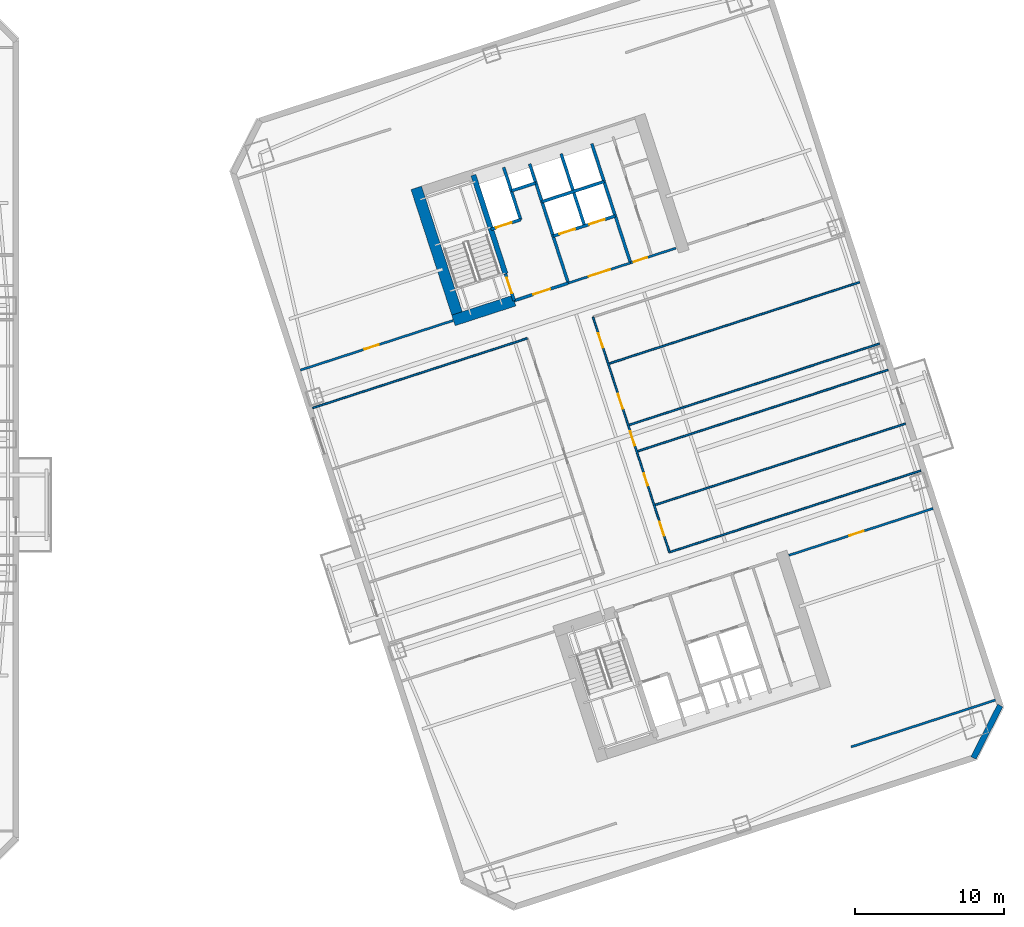
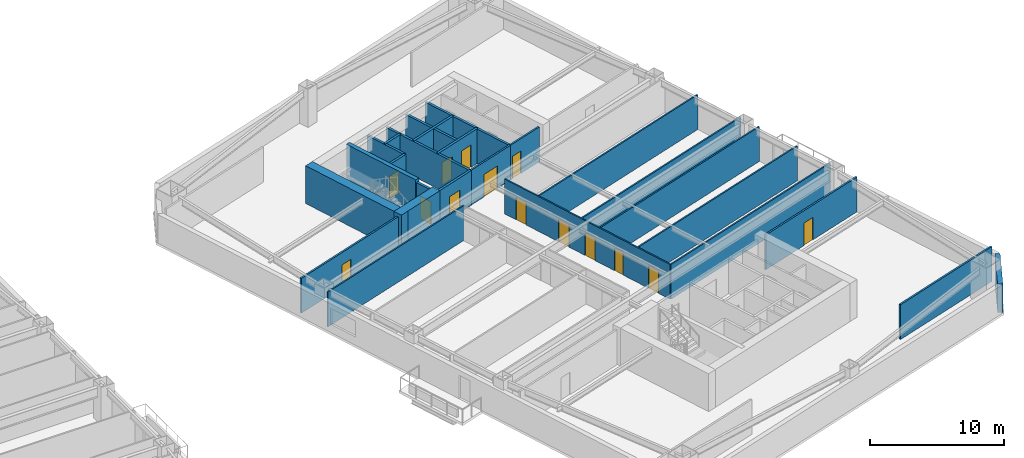
# One storey, part 8 of 15: 26 walls, 14 doors, 14 openings.
"""IFC4 building model written with IfcOpenShell, lengths in metres."""

from ifc_helpers import new_model, si_unit, direction, frame, frame_2d, origin, place, context, subcontext, project, spatial, rectangle, extrude, material, layer, layer_set, type_object, element, fill, save


model = new_model("IFC4")

# Units and contexts
model_context = context("Model", 3, precision=1e-05, world=origin(), true_north=direction((0.0, 1.0)))
body_context = subcontext(model_context, "Body", "Model", "MODEL_VIEW")
ifc_project = project(units=[si_unit("LENGTHUNIT", "METRE"), si_unit("AREAUNIT", "SQUARE_METRE"), si_unit("VOLUMEUNIT", "CUBIC_METRE"), si_unit("PLANEANGLEUNIT", "RADIAN"), si_unit("MASSUNIT", "GRAM", prefix="KILO")], contexts=[model_context])

# Site, building, storey
site_placement = place(None, origin())
site = spatial("IfcSite", under=ifc_project, at=site_placement, CompositionType="ELEMENT")
building_placement = place(site_placement, origin())
building = spatial("IfcBuilding", under=site, at=building_placement, Name="Qiaolan Cultural Towers", CompositionType="ELEMENT")
storey_placement = place(building_placement, frame((0.0, 0.0, 60.949951171875)))
storey = spatial("IfcBuildingStorey", under=building, at=storey_placement, Name="L14", CompositionType="ELEMENT", Elevation=60.949951171875)

# Walls
ifc_material_1 = material(Name="Concrete C50", Category="concrete")
ifc_layer_1 = layer(ifc_material_1, 0.35009765625)
ifc_layer_set_1 = layer_set([ifc_layer_1], Name="Concrete C50")
wall_type_1 = type_object("IfcWallType", Name="WL-CORE-350", PredefinedType="SHEAR", material=ifc_layer_set_1)
wall_1_placement = place(storey_placement, frame((82.513671875, 45.13134765625, 0.0), z_axis=(0.0, 0.0, 1.0), x_axis=(-0.308988790936, 0.951065679686, 0.0)))
element("IfcWall", 1, at=wall_1_placement, inside=storey, type_object=wall_type_1, Name="L14 T2-CN Stair Core Dividing Web", PredefinedType="SHEAR", context=body_context, shape_type="SweptSolid", body=[
    extrude(rectangle(XDim=6.97998046875, YDim=0.35009765625, at=frame_2d((3.489990234375, 0.0))), origin(), (0.0, 0.0, 1.0), 3.449951171875),
])
ifc_material_2 = material(Name="Concrete C60", Category="concrete")
ifc_layer_2 = layer(ifc_material_2, 0.75)
ifc_layer_set_2 = layer_set([ifc_layer_2], Name="Concrete C60")
wall_type_2 = type_object("IfcWallType", Name="WL-CORE-750", PredefinedType="SHEAR", material=ifc_layer_set_2)
wall_2_placement = place(storey_placement, frame((79.48876953125, 41.75634765625, 0.0), z_axis=(0.0, 0.0, 1.0), x_axis=(-0.309016134813, 0.951056795583, 0.0)))
element("IfcWall", 2, at=wall_2_placement, inside=storey, type_object=wall_type_2, Name="L14 T2-CN West Core Shear Wall", PredefinedType="SHEAR", context=body_context, shape_type="SweptSolid", body=[
    extrude(rectangle(XDim=9.630126953125, YDim=0.75, at=frame_2d((4.81494140625, 0.0))), origin(), (0.0, 0.0, 1.0), 3.449951171875),
])
wall_3_placement = place(storey_placement, frame((79.01611328125, 41.997314453125, 0.0), z_axis=(0.0, 0.0, 1.0), x_axis=(0.95106038264, 0.309005094736, 0.0)))
element("IfcWall", 3, at=wall_3_placement, inside=storey, type_object=wall_type_2, Name="L14 T2-CN Stair Front Shear Wall", PredefinedType="SHEAR", context=body_context, shape_type="SweptSolid", body=[
    extrude(rectangle(XDim=4.294921875, YDim=0.75, at=frame_2d((2.1474609375, 0.0))), origin(), (0.0, 0.0, 1.0), 3.449951171875),
])
ifc_material_3 = material(Name="Precast Concrete C50 Honed Stone Pier", Category="masonry")
ifc_layer_3 = layer(ifc_material_3, 0.39990234375)
ifc_layer_set_3 = layer_set([ifc_layer_3], Name="Precast Concrete C50 Honed Stone Pier")
wall_type_3 = type_object("IfcWallType", Name="WL-EXT-PIER-400", PredefinedType="SOLIDWALL", material=ifc_layer_set_3)
wall_4_placement = place(storey_placement, frame((115.79541015625, 16.094970703125, 0.0), z_axis=(0.0, 0.0, 1.0), x_axis=(-0.453958106755, -0.891023028497, 0.0)))
element("IfcWall", 4, at=wall_4_placement, inside=storey, type_object=wall_type_3, Name="L14 East Tower Precast Pier Facade Wall F6", PredefinedType="SOLIDWALL", context=body_context, shape_type="SweptSolid", body=[
    extrude(rectangle(XDim=3.9599609375, YDim=0.39990234375, at=frame_2d((1.97998046875, 0.0))), origin(), (0.0, 0.0, 1.0), 2.610107421875),
])

# Wall, opening, door
ifc_material_4 = material(Name="Concrete C35 Fire Wall", Category="concrete")
ifc_layer_4 = layer(ifc_material_4, 0.199951171875)
ifc_layer_set_4 = layer_set([ifc_layer_4], Name="Concrete C35 Fire Wall")
wall_type_4 = type_object("IfcWallType", Name="WL-FIRE-200", PredefinedType="PARTITIONING", material=ifc_layer_set_4)
wall_5_placement = place(storey_placement, frame((83.100830078125, 43.324462890625, 0.0), z_axis=(0.0, 0.0, 1.0), x_axis=(-0.309048298632, 0.951046344356, 0.0)))
wall_5 = element("IfcWall", 5, at=wall_5_placement, inside=storey, type_object=wall_type_4, Name="L14 T2-CN Smokeproof Stair Entry Wall", PredefinedType="PARTITIONING", context=body_context, shape_type="SweptSolid", body=[
    extrude(rectangle(XDim=1.89990234375, YDim=0.199951171875, at=frame_2d((0.949951171875, 0.0))), origin(), (0.0, 0.0, 1.0), 3.175048828125),
])
opening_1_placement = place(wall_5_placement, frame((0.52001953125, 0.0, 0.0)))
opening_1 = element("IfcOpeningElement", 6, at=opening_1_placement, cuts=wall_5, Name="Opening FD-04", PredefinedType="OPENING", context=body_context, shape_type="SweptSolid", body=[
    extrude(rectangle(XDim=1.10009765625, YDim=2.050048828125, at=frame_2d((0.550048828125, 1.02490234375))), frame((0.0, 0.10986328125, 0.0), z_axis=(0.0, -1.0, 0.0), x_axis=(1.0, 0.0, 0.0)), (0.0, 0.0, 1.0), 0.219970703125),
])
ifc_material_5 = material(Name="Galvanized Steel Command Fire Door", Category="steel")
door_type_1 = type_object("IfcDoorType", Name="DR-FD90-1100", OperationType="NOTDEFINED", PredefinedType="DOOR", material=ifc_material_5)
door_1_placement = place(opening_1_placement, origin())
door_1 = element("IfcDoor", 7, at=door_1_placement, inside=storey, type_object=door_type_1, Name="L14 ST-E2 Smokeproof Stair Fire Door", OperationType="SINGLE_SWING_LEFT", OverallHeight=2.050048828125, OverallWidth=1.10009765625, PredefinedType="DOOR", context=body_context, shape_type="SweptSolid", body=[
    extrude(rectangle(XDim=1.10009765625, YDim=2.050048828125, at=frame_2d((0.550048828125, 1.02490234375))), frame((0.0, 0.02490234375, 0.0), z_axis=(0.0, -1.0, 0.0), x_axis=(1.0, 0.0, 0.0)), (0.0, 0.0, 1.0), 0.050048828125),
])
fill(opening_1, door_1)

# Wall
wall_6_placement = place(storey_placement, frame((86.743408203125, 44.508056640625, 0.0), z_axis=(0.0, 0.0, 1.0), x_axis=(-0.309016001439, 0.951056838919, 0.0)))
element("IfcWall", 8, at=wall_6_placement, inside=storey, type_object=wall_type_4, Name="L14 T2-CN Firefighting Zone Wall", PredefinedType="PARTITIONING", context=body_context, shape_type="SweptSolid", body=[
    extrude(rectangle(XDim=8.429931640625, YDim=0.199951171875, at=frame_2d((4.21484375, 0.0))), origin(), (0.0, 0.0, 1.0), 3.175048828125),
])

# Wall, opening, door
wall_7_placement = place(storey_placement, frame((83.100830078125, 43.324462890625, 0.0), z_axis=(0.0, 0.0, 1.0), x_axis=(0.951052804469, 0.309028417967, 0.0)))
wall_7 = element("IfcWall", 9, at=wall_7_placement, inside=storey, type_object=wall_type_4, Name="L14 T2-CN Firefighting Lobby Front Wall", PredefinedType="PARTITIONING", context=body_context, shape_type="SweptSolid", body=[
    extrude(rectangle(XDim=3.830078125, YDim=0.199951171875, at=frame_2d((1.9150390625, 0.0))), origin(), (0.0, 0.0, 1.0), 3.175048828125),
])
opening_2_placement = place(wall_7_placement, frame((1.35009765625, 0.0, 0.0)))
opening_2 = element("IfcOpeningElement", 10, at=opening_2_placement, cuts=wall_7, Name="Opening FD-03", PredefinedType="OPENING", context=body_context, shape_type="SweptSolid", body=[
    extrude(rectangle(XDim=1.199951171875, YDim=2.050048828125, at=frame_2d((0.60009765625, 1.02490234375))), frame((0.0, 0.10986328125, 0.0), z_axis=(0.0, -1.0, 0.0), x_axis=(1.0, 0.0, 0.0)), (0.0, 0.0, 1.0), 0.219970703125),
])
ifc_material_6 = material(Name="Galvanized Steel Smokeproof Lobby Fire Door", Category="steel")
door_type_2 = type_object("IfcDoorType", Name="DR-FD90-1200", OperationType="NOTDEFINED", PredefinedType="DOOR", material=ifc_material_6)
door_2_placement = place(opening_2_placement, origin())
door_2 = element("IfcDoor", 11, at=door_2_placement, inside=storey, type_object=door_type_2, Name="L14 FFL-E2 Firefighting Lobby Fire Door", OperationType="SINGLE_SWING_LEFT", OverallHeight=2.050048828125, OverallWidth=1.199951171875, PredefinedType="DOOR", context=body_context, shape_type="SweptSolid", body=[
    extrude(rectangle(XDim=1.199951171875, YDim=2.050048828125, at=frame_2d((0.60009765625, 1.02490234375))), frame((0.0, 0.02490234375, 0.0), z_axis=(0.0, -1.0, 0.0), x_axis=(1.0, 0.0, 0.0)), (0.0, 0.0, 1.0), 0.050048828125),
])
fill(opening_2, door_2)

wall_8_placement = place(storey_placement, frame((81.540283203125, 48.127197265625, 0.0), z_axis=(0.0, 0.0, 1.0), x_axis=(0.951062257173, 0.308999325213, 0.0)))
wall_8 = element("IfcWall", 12, at=wall_8_placement, inside=storey, type_object=wall_type_4, Name="L14 T2-CN Firefighting Shaft Front Wall", PredefinedType="PARTITIONING", context=body_context, shape_type="SweptSolid", body=[
    extrude(rectangle(XDim=2.10009765625, YDim=0.199951171875, at=frame_2d((1.050048828125, 0.0))), origin(), (0.0, 0.0, 1.0), 3.175048828125),
])
opening_3_placement = place(wall_8_placement, frame((0.35009765625, 0.0, 0.0)))
opening_3 = element("IfcOpeningElement", 13, at=opening_3_placement, cuts=wall_8, Name="Opening LD-01", PredefinedType="OPENING", context=body_context, shape_type="SweptSolid", body=[
    extrude(rectangle(XDim=1.10009765625, YDim=2.050048828125, at=frame_2d((0.550048828125, 1.02490234375))), frame((0.0, 0.10986328125, 0.0), z_axis=(0.0, -1.0, 0.0), x_axis=(1.0, 0.0, 0.0)), (0.0, 0.0, 1.0), 0.219970703125),
])
ifc_material_7 = material(Name="Brushed Stainless Steel S30408 Centre-Parting Lift Landing Door", Category="steel")
door_type_3 = type_object("IfcDoorType", Name="DR-LIFT-1100", OperationType="NOTDEFINED", PredefinedType="DOOR", material=ifc_material_7)
door_3_placement = place(opening_3_placement, origin())
door_3 = element("IfcDoor", 14, at=door_3_placement, inside=storey, type_object=door_type_3, Name="L14 FFL-E2 Firefighting Lift Landing Door", OperationType="DOUBLE_DOOR_SLIDING", OverallHeight=2.050048828125, OverallWidth=1.10009765625, PredefinedType="DOOR", context=body_context, shape_type="SweptSolid", body=[
    extrude(rectangle(XDim=1.10009765625, YDim=2.050048828125, at=frame_2d((0.550048828125, 1.02490234375))), frame((0.0, 0.02490234375, 0.0), z_axis=(0.0, -1.0, 0.0), x_axis=(1.0, 0.0, 0.0)), (0.0, 0.0, 1.0), 0.050048828125),
])
fill(opening_3, door_3)

# Walls
wall_9_placement = place(storey_placement, frame((83.53759765625, 48.776123046875, 0.0), z_axis=(0.0, 0.0, 1.0), x_axis=(-0.3089935693, 0.951064127245, 0.0)))
element("IfcWall", 15, at=wall_9_placement, inside=storey, type_object=wall_type_4, Name="L14 T2-CN Firefighting Hoistway East Wall", PredefinedType="PARTITIONING", context=body_context, shape_type="SweptSolid", body=[
    extrude(rectangle(XDim=3.7001953125, YDim=0.199951171875, at=frame_2d((1.85009765625, 0.0))), origin(), (0.0, 0.0, 1.0), 3.175048828125),
])
wall_10_placement = place(storey_placement, frame((82.910400390625, 50.706787109375, 0.0), z_axis=(0.0, 0.0, 1.0), x_axis=(0.951041328149, 0.309063734775, 0.0)))
element("IfcWall", 16, at=wall_10_placement, inside=storey, type_object=wall_type_4, Name="L14 T2-CN Pressurization Shaft Front Wall", PredefinedType="PARTITIONING", context=body_context, shape_type="SweptSolid", body=[
    extrude(rectangle(XDim=1.72998046875, YDim=0.199951171875, at=frame_2d((0.864990234375, 0.0))), origin(), (0.0, 0.0, 1.0), 3.175048828125),
])
wall_11_placement = place(storey_placement, frame((90.92822265625, 45.86767578125, 0.0), z_axis=(0.0, 0.0, 1.0), x_axis=(-0.309042196757, 0.951048327176, 0.0)))
element("IfcWall", 17, at=wall_11_placement, inside=storey, type_object=wall_type_4, Name="L14 T2-CN Lift Core East Wall", PredefinedType="PARTITIONING", context=body_context, shape_type="SweptSolid", body=[
    extrude(rectangle(XDim=8.429931640625, YDim=0.199951171875, at=frame_2d((4.21484375, 0.0))), origin(), (0.0, 0.0, 1.0), 3.175048828125),
])

# Wall, openings, doors
wall_12_placement = place(storey_placement, frame((85.717529296875, 47.66552734375, 0.0), z_axis=(0.0, 0.0, 1.0), x_axis=(0.951058531764, 0.30901079133, 0.0)))
wall_12 = element("IfcWall", 18, at=wall_12_placement, inside=storey, type_object=wall_type_4, Name="L14 T2-CN Passenger Lift Shaft Front Wall", PredefinedType="PARTITIONING", context=body_context, shape_type="SweptSolid", body=[
    extrude(rectangle(XDim=4.39990234375, YDim=0.199951171875, at=frame_2d((2.199951171875, 0.0))), origin(), (0.0, 0.0, 1.0), 3.175048828125),
])
opening_4_placement = place(wall_12_placement, frame((0.449951171875, 0.0, 0.0)))
opening_4 = element("IfcOpeningElement", 19, at=opening_4_placement, cuts=wall_12, Name="Opening LD-01", PredefinedType="OPENING", context=body_context, shape_type="SweptSolid", body=[
    extrude(rectangle(XDim=1.10009765625, YDim=2.050048828125, at=frame_2d((0.550048828125, 1.02490234375))), frame((0.0, 0.10986328125, 0.0), z_axis=(0.0, -1.0, 0.0), x_axis=(1.0, 0.0, 0.0)), (0.0, 0.0, 1.0), 0.219970703125),
])
opening_5_placement = place(wall_12_placement, frame((2.550048828125, 0.0, 0.0)))
opening_5 = element("IfcOpeningElement", 20, at=opening_5_placement, cuts=wall_12, Name="Opening LD-01", PredefinedType="OPENING", context=body_context, shape_type="SweptSolid", body=[
    extrude(rectangle(XDim=1.10009765625, YDim=2.050048828125, at=frame_2d((0.550048828125, 1.02490234375))), frame((0.0, 0.10986328125, 0.0), z_axis=(0.0, -1.0, 0.0), x_axis=(1.0, 0.0, 0.0)), (0.0, 0.0, 1.0), 0.219970703125),
])
door_4_placement = place(opening_4_placement, origin())
door_4 = element("IfcDoor", 21, at=door_4_placement, inside=storey, type_object=door_type_3, Name="L14 Passenger Lift 1 Landing Door", OperationType="DOUBLE_DOOR_SLIDING", OverallHeight=2.050048828125, OverallWidth=1.10009765625, PredefinedType="DOOR", context=body_context, shape_type="SweptSolid", body=[
    extrude(rectangle(XDim=1.10009765625, YDim=2.050048828125, at=frame_2d((0.550048828125, 1.02490234375))), frame((0.0, 0.02490234375, 0.0), z_axis=(0.0, -1.0, 0.0), x_axis=(1.0, 0.0, 0.0)), (0.0, 0.0, 1.0), 0.050048828125),
])
fill(opening_4, door_4)
door_5_placement = place(opening_5_placement, origin())
door_5 = element("IfcDoor", 22, at=door_5_placement, inside=storey, type_object=door_type_3, Name="L14 Passenger Lift 2 Landing Door", OperationType="DOUBLE_DOOR_SLIDING", OverallHeight=2.050048828125, OverallWidth=1.10009765625, PredefinedType="DOOR", context=body_context, shape_type="SweptSolid", body=[
    extrude(rectangle(XDim=1.10009765625, YDim=2.050048828125, at=frame_2d((0.550048828125, 1.02490234375))), frame((0.0, 0.02490234375, 0.0), z_axis=(0.0, -1.0, 0.0), x_axis=(1.0, 0.0, 0.0)), (0.0, 0.0, 1.0), 0.050048828125),
])
fill(opening_5, door_5)

# Walls
wall_13_placement = place(storey_placement, frame((87.83837890625, 48.3544921875, 0.0), z_axis=(0.0, 0.0, 1.0), x_axis=(-0.3090093719, 0.951058992953, 0.0)))
element("IfcWall", 23, at=wall_13_placement, inside=storey, type_object=wall_type_4, Name="L14 T2-CN Lift Shaft Divider Wall", PredefinedType="PARTITIONING", context=body_context, shape_type="SweptSolid", body=[
    extrude(rectangle(XDim=5.110107421875, YDim=0.199951171875, at=frame_2d((2.55517578125, 0.0))), origin(), (0.0, 0.0, 1.0), 3.175048828125),
])
wall_14_placement = place(storey_placement, frame((84.966552734375, 49.9765625, 0.0), z_axis=(0.0, 0.0, 1.0), x_axis=(0.951063829732, 0.308994485023, 0.0)))
element("IfcWall", 24, at=wall_14_placement, inside=storey, type_object=wall_type_4, Name="L14 T2-CN Passenger Lift Shaft Back Wall", PredefinedType="PARTITIONING", context=body_context, shape_type="SweptSolid", body=[
    extrude(rectangle(XDim=4.400146484375, YDim=0.199951171875, at=frame_2d((2.2001953125, 0.0))), origin(), (0.0, 0.0, 1.0), 3.175048828125),
])
ifc_material_8 = material(Name="Gypsum Stud Acoustic Partition", Category="gypsum")
ifc_layer_5 = layer(ifc_material_8, 0.1201171875)
ifc_layer_set_5 = layer_set([ifc_layer_5], Name="Gypsum Stud Acoustic Partition")
wall_type_5 = type_object("IfcWallType", Name="WL-PART-120", PredefinedType="PARTITIONING", material=ifc_layer_set_5)
wall_15_placement = place(storey_placement, frame((93.5458984375, 26.404052734375, 0.0), z_axis=(0.0, 0.0, 1.0), x_axis=(0.951058189574, 0.309011844505, 0.0)))
element("IfcWall", 25, at=wall_15_placement, inside=storey, type_object=wall_type_5, Name="L14 T2 South Corridor Right Wall", PredefinedType="PARTITIONING", context=body_context, shape_type="SweptSolid", body=[
    extrude(rectangle(XDim=17.77490234375, YDim=0.1201171875, at=frame_2d((8.887451171875, 0.0))), origin(), (0.0, 0.0, 1.0), 3.175048828125),
])
wall_16_placement = place(storey_placement, frame((69.549072265625, 36.103271484375, 0.0), z_axis=(0.0, 0.0, 1.0), x_axis=(0.951054756643, 0.309022409974, 0.0)))
element("IfcWall", 26, at=wall_16_placement, inside=storey, type_object=wall_type_5, Name="L14 T2 North Corridor Left Wall", PredefinedType="PARTITIONING", context=body_context, shape_type="SweptSolid", body=[
    extrude(rectangle(XDim=15.175048828125, YDim=0.1201171875, at=frame_2d((7.58740234375, 0.0))), origin(), (0.0, 0.0, 1.0), 3.175048828125),
])

# Wall, openings, doors
wall_17_placement = place(storey_placement, frame((93.5458984375, 26.404052734375, 0.0), z_axis=(0.0, 0.0, 1.0), x_axis=(-0.309022042254, 0.951054876125, 0.0)))
wall_17 = element("IfcWall", 27, at=wall_17_placement, inside=storey, type_object=wall_type_5, Name="L14 T2 East Spine Wall", PredefinedType="PARTITIONING", context=body_context, shape_type="SweptSolid", body=[
    extrude(rectangle(XDim=16.639892578125, YDim=0.1201171875, at=frame_2d((8.31982421875, 0.0))), origin(), (0.0, 0.0, 1.0), 3.175048828125),
])
opening_6_placement = place(wall_17_placement, frame((1.159912109375, 0.0, 0.0)))
opening_6 = element("IfcOpeningElement", 28, at=opening_6_placement, cuts=wall_17, Name="Opening ID-04", PredefinedType="OPENING", context=body_context, shape_type="SweptSolid", body=[
    extrude(rectangle(XDim=1.0, YDim=2.050048828125, at=frame_2d((0.5, 1.02490234375))), frame((0.0, 0.070068359375, 0.0), z_axis=(0.0, -1.0, 0.0), x_axis=(1.0, 0.0, 0.0)), (0.0, 0.0, 1.0), 0.14013671875),
])
opening_7_placement = place(wall_17_placement, frame((4.719970703125, 0.0, 0.0)))
opening_7 = element("IfcOpeningElement", 29, at=opening_7_placement, cuts=wall_17, Name="Opening ID-09", PredefinedType="OPENING", context=body_context, shape_type="SweptSolid", body=[
    extrude(rectangle(XDim=0.85009765625, YDim=2.050048828125, at=frame_2d((0.425048828125, 1.02490234375))), frame((0.0, 0.070068359375, 0.0), z_axis=(0.0, -1.0, 0.0), x_axis=(1.0, 0.0, 0.0)), (0.0, 0.0, 1.0), 0.14013671875),
])
opening_8_placement = place(wall_17_placement, frame((7.548583984375, 0.0, 0.0)))
opening_8 = element("IfcOpeningElement", 30, at=opening_8_placement, cuts=wall_17, Name="Opening ID-04", PredefinedType="OPENING", context=body_context, shape_type="SweptSolid", body=[
    extrude(rectangle(XDim=1.0, YDim=2.050048828125, at=frame_2d((0.5, 1.02490234375))), frame((0.0, 0.070068359375, 0.0), z_axis=(0.0, -1.0, 0.0), x_axis=(1.0, 0.0, 0.0)), (0.0, 0.0, 1.0), 0.14013671875),
])
opening_9_placement = place(wall_17_placement, frame((10.1484375, 0.0, 0.0)))
opening_9 = element("IfcOpeningElement", 31, at=opening_9_placement, cuts=wall_17, Name="Opening ID-07", PredefinedType="OPENING", context=body_context, shape_type="SweptSolid", body=[
    extrude(rectangle(XDim=1.050048828125, YDim=2.050048828125, at=frame_2d((0.52490234375, 1.02490234375))), frame((0.0, 0.070068359375, 0.0), z_axis=(0.0, -1.0, 0.0), x_axis=(1.0, 0.0, 0.0)), (0.0, 0.0, 1.0), 0.14013671875),
])
opening_10_placement = place(wall_17_placement, frame((14.47998046875, 0.0, 0.0)))
opening_10 = element("IfcOpeningElement", 32, at=opening_10_placement, cuts=wall_17, Name="Opening ID-04", PredefinedType="OPENING", context=body_context, shape_type="SweptSolid", body=[
    extrude(rectangle(XDim=1.0, YDim=2.050048828125, at=frame_2d((0.5, 1.02490234375))), frame((0.0, 0.070068359375, 0.0), z_axis=(0.0, -1.0, 0.0), x_axis=(1.0, 0.0, 0.0)), (0.0, 0.0, 1.0), 0.14013671875),
])
ifc_material_9 = material(Name="Oak Veneer Acoustic Office Door", Category="timber")
door_type_4 = type_object("IfcDoorType", Name="DR-INT-1000", OperationType="NOTDEFINED", PredefinedType="DOOR", material=ifc_material_9)
door_6_placement = place(opening_6_placement, origin())
door_6 = element("IfcDoor", 33, at=door_6_placement, inside=storey, type_object=door_type_4, Name="L14 T2 Architecture Studio Door", OperationType="SINGLE_SWING_RIGHT", OverallHeight=2.050048828125, OverallWidth=1.0, PredefinedType="DOOR", context=body_context, shape_type="SweptSolid", body=[
    extrude(rectangle(XDim=1.0, YDim=2.050048828125, at=frame_2d((0.5, 1.02490234375))), frame((0.0, 0.02490234375, 0.0), z_axis=(0.0, -1.0, 0.0), x_axis=(1.0, 0.0, 0.0)), (0.0, 0.0, 1.0), 0.050048828125),
])
fill(opening_6, door_6)
door_7_placement = place(opening_8_placement, origin())
door_7 = element("IfcDoor", 34, at=door_7_placement, inside=storey, type_object=door_type_4, Name="L14 T2 Architecture Studio Door", OperationType="SINGLE_SWING_RIGHT", OverallHeight=2.050048828125, OverallWidth=1.0, PredefinedType="DOOR", context=body_context, shape_type="SweptSolid", body=[
    extrude(rectangle(XDim=1.0, YDim=2.050048828125, at=frame_2d((0.5, 1.02490234375))), frame((0.0, 0.02490234375, 0.0), z_axis=(0.0, -1.0, 0.0), x_axis=(1.0, 0.0, 0.0)), (0.0, 0.0, 1.0), 0.050048828125),
])
fill(opening_8, door_7)
door_8_placement = place(opening_10_placement, origin())
door_8 = element("IfcDoor", 35, at=door_8_placement, inside=storey, type_object=door_type_4, Name="L14 T2 Espresso Pantry Door", OperationType="SINGLE_SWING_LEFT", OverallHeight=2.050048828125, OverallWidth=1.0, PredefinedType="DOOR", context=body_context, shape_type="SweptSolid", body=[
    extrude(rectangle(XDim=1.0, YDim=2.050048828125, at=frame_2d((0.5, 1.02490234375))), frame((0.0, 0.02490234375, 0.0), z_axis=(0.0, -1.0, 0.0), x_axis=(1.0, 0.0, 0.0)), (0.0, 0.0, 1.0), 0.050048828125),
])
fill(opening_10, door_8)
ifc_material_10 = material(Name="Oak Veneer Consultation Door", Category="timber")
door_type_5 = type_object("IfcDoorType", Name="DR-INT-1050", OperationType="NOTDEFINED", PredefinedType="DOOR", material=ifc_material_10)
door_9_placement = place(opening_9_placement, origin())
door_9 = element("IfcDoor", 36, at=door_9_placement, inside=storey, type_object=door_type_5, Name="L14 T2 Architecture Studio Door", OperationType="SINGLE_SWING_LEFT", OverallHeight=2.050048828125, OverallWidth=1.050048828125, PredefinedType="DOOR", context=body_context, shape_type="SweptSolid", body=[
    extrude(rectangle(XDim=1.050048828125, YDim=2.050048828125, at=frame_2d((0.52490234375, 1.02490234375))), frame((0.0, 0.02490234375, 0.0), z_axis=(0.0, -1.0, 0.0), x_axis=(1.0, 0.0, 0.0)), (0.0, 0.0, 1.0), 0.050048828125),
])
fill(opening_9, door_9)
ifc_material_11 = material(Name="Moisture-Resistant Laminate Utility Door", Category="timber")
door_type_6 = type_object("IfcDoorType", Name="DR-INT-850", OperationType="NOTDEFINED", PredefinedType="DOOR", material=ifc_material_11)
door_10_placement = place(opening_7_placement, origin())
door_10 = element("IfcDoor", 37, at=door_10_placement, inside=storey, type_object=door_type_6, Name="L14 T2 Architecture Studio Door", OperationType="SINGLE_SWING_LEFT", OverallHeight=2.050048828125, OverallWidth=0.85009765625, PredefinedType="DOOR", context=body_context, shape_type="SweptSolid", body=[
    extrude(rectangle(XDim=0.85009765625, YDim=2.050048828125, at=frame_2d((0.425048828125, 1.02490234375))), frame((0.0, 0.02490234375, 0.0), z_axis=(0.0, -1.0, 0.0), x_axis=(1.0, 0.0, 0.0)), (0.0, 0.0, 1.0), 0.050048828125),
])
fill(opening_7, door_10)

# Walls
for number, where, z_axis, x_axis, name in (
    (38, (92.52001953125, 29.5615234375, 0.0), (0.0, 0.0, 1.0), (0.951058189574, 0.309011844505, 0.0), "L14 T2 East Partition 1"),
    (39, (91.345703125, 33.175537109375, 0.0), (0.0, 0.0, 1.0), (0.951058189574, 0.309011844505, 0.0), "L14 T2 East Partition 2"),
    (40, (90.771728515625, 34.941650390625, 0.0), (0.0, 0.0, 1.0), (0.951058189574, 0.309011844505, 0.0), "L14 T2 East Partition 3"),
    (41, (89.4296875, 39.072021484375, 0.0), (0.0, 0.0, 1.0), (0.951058189574, 0.309011844505, 0.0), "L14 T2 East Partition 5"),
):
    element("IfcWall", number, at=place(storey_placement, frame(where, z_axis=z_axis, x_axis=x_axis)), inside=storey, type_object=wall_type_5, Name=name, PredefinedType="PARTITIONING", context=body_context, shape_type="SweptSolid", body=[
        extrude(rectangle(XDim=17.77490234375, YDim=0.1201171875, at=frame_2d((8.887451171875, 0.0))), origin(), (0.0, 0.0, 1.0), 3.175048828125),
    ])

# Wall, opening, door
ifc_material_12 = material(Name="Autoclaved Aerated Concrete Block B06", Category="concrete")
ifc_layer_6 = layer(ifc_material_12, 0.14990234375)
ifc_layer_set_6 = layer_set([ifc_layer_6], Name="Autoclaved Aerated Concrete Block B06")
wall_type_6 = type_object("IfcWallType", Name="WL-PART-150", PredefinedType="PARTITIONING", material=ifc_layer_set_6)
wall_18_placement = place(storey_placement, frame((86.743408203125, 44.508056640625, 0.0), z_axis=(0.0, 0.0, 1.0), x_axis=(0.951063829732, 0.308994485023, 0.0)))
wall_18 = element("IfcWall", 42, at=wall_18_placement, inside=storey, type_object=wall_type_6, Name="L14 T2-CN Passenger Lift Lobby Front Wall", PredefinedType="PARTITIONING", context=body_context, shape_type="SweptSolid", body=[
    extrude(rectangle(XDim=4.400146484375, YDim=0.14990234375, at=frame_2d((2.2001953125, 0.0))), origin(), (0.0, 0.0, 1.0), 3.175048828125),
])
opening_11_placement = place(wall_18_placement, frame((1.449951171875, 0.0, 0.0)))
opening_11 = element("IfcOpeningElement", 43, at=opening_11_placement, cuts=wall_18, Name="Opening FD-05", PredefinedType="OPENING", context=body_context, shape_type="SweptSolid", body=[
    extrude(rectangle(XDim=1.5, YDim=2.050048828125, at=frame_2d((0.75, 1.02490234375))), frame((0.0, 0.0849609375, 0.0), z_axis=(0.0, -1.0, 0.0), x_axis=(1.0, 0.0, 0.0)), (0.0, 0.0, 1.0), 0.169921875),
])
ifc_material_13 = material(Name="Painted Steel Lift Lobby Fire Door", Category="steel")
door_type_7 = type_object("IfcDoorType", Name="DR-FD60-1500", OperationType="NOTDEFINED", PredefinedType="DOOR", material=ifc_material_13)
door_11_placement = place(opening_11_placement, origin())
door_11 = element("IfcDoor", 44, at=door_11_placement, inside=storey, type_object=door_type_7, Name="L14 Passenger Lift Lobby Entrance", OperationType="SINGLE_SWING_LEFT", OverallHeight=2.050048828125, OverallWidth=1.5, PredefinedType="DOOR", context=body_context, shape_type="SweptSolid", body=[
    extrude(rectangle(XDim=1.5, YDim=2.050048828125, at=frame_2d((0.75, 1.02490234375))), frame((0.0, 0.02490234375, 0.0), z_axis=(0.0, -1.0, 0.0), x_axis=(1.0, 0.0, 0.0)), (0.0, 0.0, 1.0), 0.050048828125),
])
fill(opening_11, door_11)

wall_19_placement = place(storey_placement, frame((90.92822265625, 45.86767578125, 0.0), z_axis=(0.0, 0.0, 1.0), x_axis=(0.951059297078, 0.309008435874, 0.0)))
wall_19 = element("IfcWall", 45, at=wall_19_placement, inside=storey, type_object=wall_type_6, Name="L14 T2-CN Sanitary Core Front Wall", PredefinedType="PARTITIONING", context=body_context, shape_type="SweptSolid", body=[
    extrude(rectangle(XDim=3.19970703125, YDim=0.14990234375, at=frame_2d((1.599853515625, 0.0))), origin(), (0.0, 0.0, 1.0), 3.175048828125),
])
opening_12_placement = place(wall_19_placement, frame((0.219970703125, 0.0, 0.0)))
opening_12 = element("IfcOpeningElement", 46, at=opening_12_placement, cuts=wall_19, Name="Opening ID-05", PredefinedType="OPENING", context=body_context, shape_type="SweptSolid", body=[
    extrude(rectangle(XDim=0.949951171875, YDim=2.050048828125, at=frame_2d((0.47509765625, 1.02490234375))), frame((0.0, 0.0849609375, 0.0), z_axis=(0.0, -1.0, 0.0), x_axis=(1.0, 0.0, 0.0)), (0.0, 0.0, 1.0), 0.169921875),
])
ifc_material_14 = material(Name="Fire-Rated Laminate Accessible Core Door", Category="timber")
door_type_8 = type_object("IfcDoorType", Name="DR-INT-950", OperationType="NOTDEFINED", PredefinedType="DOOR", material=ifc_material_14)
door_12_placement = place(opening_12_placement, origin())
door_12 = element("IfcDoor", 47, at=door_12_placement, inside=storey, type_object=door_type_8, Name="L14 Sanitary Vestibule Door", OperationType="SINGLE_SWING_LEFT", OverallHeight=2.050048828125, OverallWidth=0.949951171875, PredefinedType="DOOR", context=body_context, shape_type="SweptSolid", body=[
    extrude(rectangle(XDim=0.949951171875, YDim=2.050048828125, at=frame_2d((0.47509765625, 1.02490234375))), frame((0.0, 0.02490234375, 0.0), z_axis=(0.0, -1.0, 0.0), x_axis=(1.0, 0.0, 0.0)), (0.0, 0.0, 1.0), 0.050048828125),
])
fill(opening_12, door_12)

# Wall
wall_20_placement = place(storey_placement, frame((105.765380859375, 13.30908203125, 0.0), z_axis=(0.0, 0.0, 1.0), x_axis=(0.951054294345, 0.309023832749, 0.0)))
element("IfcWall", 48, at=wall_20_placement, inside=storey, type_object=wall_type_6, Name="L14 T2 Flank Wall FLK-SE", PredefinedType="PARTITIONING", context=body_context, shape_type="SweptSolid", body=[
    extrude(rectangle(XDim=10.2001953125, YDim=0.14990234375, at=frame_2d((5.10009765625, 0.0))), origin(), (0.0, 0.0, 1.0), 3.175048828125),
])

# Wall, opening, door
wall_21_placement = place(storey_placement, frame((101.578369140625, 26.196044921875, 0.0), z_axis=(0.0, 0.0, 1.0), x_axis=(0.951059043131, 0.309009217467, 0.0)))
wall_21 = element("IfcWall", 49, at=wall_21_placement, inside=storey, type_object=wall_type_6, Name="L14 T2 Flank Front FLK-SE", PredefinedType="PARTITIONING", context=body_context, shape_type="SweptSolid", body=[
    extrude(rectangle(XDim=10.199951171875, YDim=0.14990234375, at=frame_2d((5.10009765625, 0.0))), origin(), (0.0, 0.0, 1.0), 3.175048828125),
])
opening_13_placement = place(wall_21_placement, frame((4.283935546875, 0.0, 0.0)))
opening_13 = element("IfcOpeningElement", 50, at=opening_13_placement, cuts=wall_21, Name="Opening ID-04", PredefinedType="OPENING", context=body_context, shape_type="SweptSolid", body=[
    extrude(rectangle(XDim=1.0, YDim=2.050048828125, at=frame_2d((0.5, 1.02490234375))), frame((0.0, 0.0849609375, 0.0), z_axis=(0.0, -1.0, 0.0), x_axis=(1.0, 0.0, 0.0)), (0.0, 0.0, 1.0), 0.169921875),
])
door_13_placement = place(opening_13_placement, origin())
door_13 = element("IfcDoor", 51, at=door_13_placement, inside=storey, type_object=door_type_4, Name="L14 T2 Corner Studio Door", OperationType="SINGLE_SWING_LEFT", OverallHeight=2.050048828125, OverallWidth=1.0, PredefinedType="DOOR", context=body_context, shape_type="SweptSolid", body=[
    extrude(rectangle(XDim=1.0, YDim=2.050048828125, at=frame_2d((0.5, 1.02490234375))), frame((0.0, 0.02490234375, 0.0), z_axis=(0.0, -1.0, 0.0), x_axis=(1.0, 0.0, 0.0)), (0.0, 0.0, 1.0), 0.050048828125),
])
fill(opening_13, door_13)

wall_22_placement = place(storey_placement, frame((68.720947265625, 38.652099609375, 0.0), z_axis=(0.0, 0.0, 1.0), x_axis=(0.951056658866, 0.309016555588, 0.0)))
wall_22 = element("IfcWall", 52, at=wall_22_placement, inside=storey, type_object=wall_type_6, Name="L14 T2 Flank Front FLK-NW", PredefinedType="PARTITIONING", context=body_context, shape_type="SweptSolid", body=[
    extrude(rectangle(XDim=10.800048828125, YDim=0.14990234375, at=frame_2d((5.39990234375, 0.0))), origin(), (0.0, 0.0, 1.0), 3.175048828125),
])
opening_14_placement = place(wall_22_placement, frame((4.535888671875, 0.0, 0.0)))
opening_14 = element("IfcOpeningElement", 53, at=opening_14_placement, cuts=wall_22, Name="Opening ID-04", PredefinedType="OPENING", context=body_context, shape_type="SweptSolid", body=[
    extrude(rectangle(XDim=1.0, YDim=2.050048828125, at=frame_2d((0.5, 1.02490234375))), frame((0.0, 0.0849609375, 0.0), z_axis=(0.0, -1.0, 0.0), x_axis=(1.0, 0.0, 0.0)), (0.0, 0.0, 1.0), 0.169921875),
])
door_14_placement = place(opening_14_placement, origin())
door_14 = element("IfcDoor", 54, at=door_14_placement, inside=storey, type_object=door_type_4, Name="L14 T2 Corner Studio Door", OperationType="SINGLE_SWING_LEFT", OverallHeight=2.050048828125, OverallWidth=1.0, PredefinedType="DOOR", context=body_context, shape_type="SweptSolid", body=[
    extrude(rectangle(XDim=1.0, YDim=2.050048828125, at=frame_2d((0.5, 1.02490234375))), frame((0.0, 0.02490234375, 0.0), z_axis=(0.0, -1.0, 0.0), x_axis=(1.0, 0.0, 0.0)), (0.0, 0.0, 1.0), 0.050048828125),
])
fill(opening_14, door_14)

save(model, "model.ifc")
